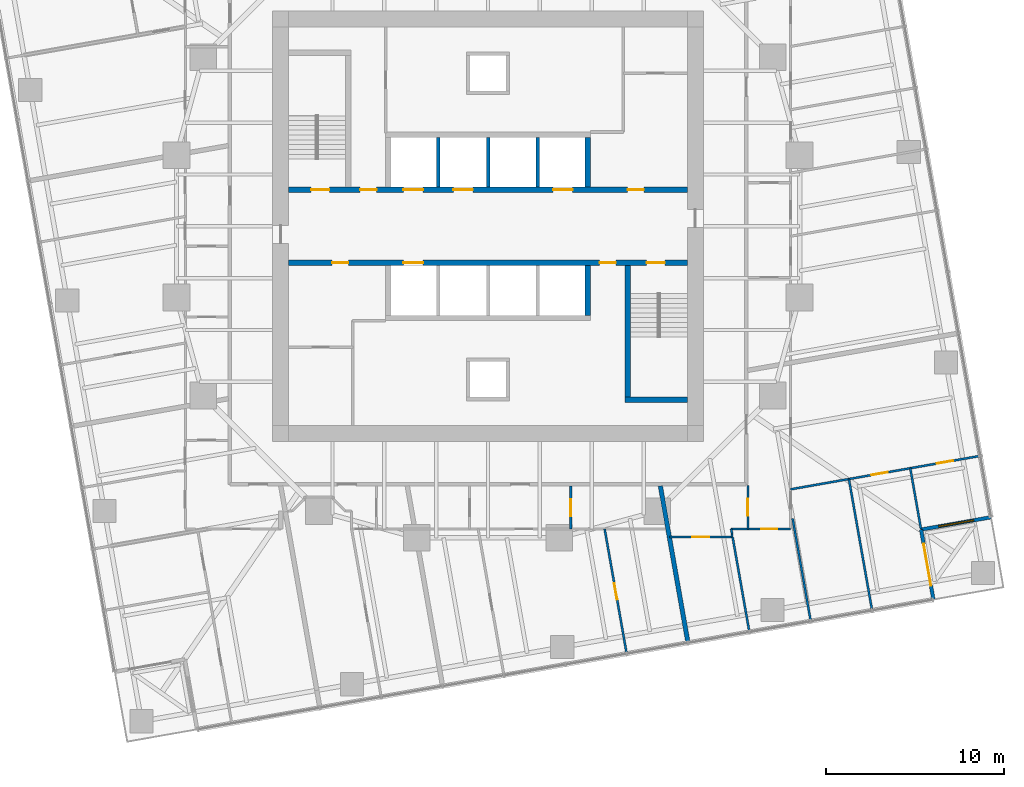
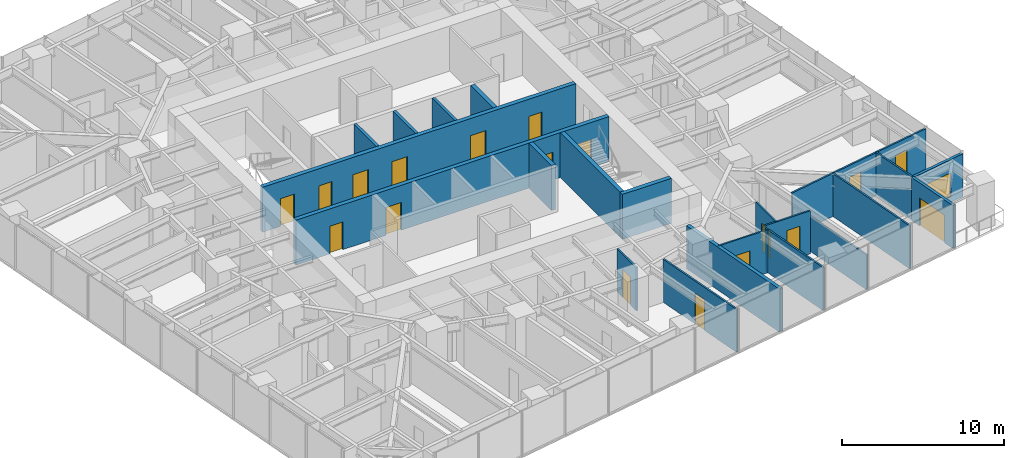
# One storey, part 10 of 14: 24 walls, 18 doors, 1 window, 19 openings.
"""IFC4 building model written with IfcOpenShell, lengths in metres."""

import ifcopenshell
import ifcopenshell.guid

model = None  # the IFC model being written
_history = None  # IfcOwnerHistory: only IFC2X3 demands one
_inside = {}  # id of a spatial element -> (the spatial element, [elements in it])
_under = {}  # id of a project, library or spatial element -> (it, [spatial elements below it])
_declared = {}  # id of a project -> (the project, [libraries it declares])
_typed = {}  # id of a type object -> (the type object, [elements of that type])
_made_of = {}  # id of a material, layer set ... -> (it, [elements and type objects made of it])


def new_model(schema):
    """Start an empty IFC model of exactly this schema.

    Asked for "IFC4X3", IfcOpenShell would pick the latest addendum, in which some entities
    have other attributes; the version numbers below select the first issue.
    IFC2X3 requires an IfcOwnerHistory on every rooted entity: one is made here for all.
    """
    global model, _history
    if schema == "IFC4X3":
        model = ifcopenshell.file(schema_version=(4, 3, 0, 0))
    else:
        model = ifcopenshell.file(schema=schema)
    _inside.clear()
    _under.clear()
    _declared.clear()
    _typed.clear()
    _made_of.clear()
    _history = None
    if model.schema == "IFC2X3":
        org = make("IfcOrganization", Name="unknown")
        user = make(
            "IfcPersonAndOrganization",
            ThePerson=make("IfcPerson", FamilyName="unknown"),
            TheOrganization=org,
        )
        app = make(
            "IfcApplication",
            ApplicationDeveloper=org,
            Version="unknown",
            ApplicationFullName="unknown",
            ApplicationIdentifier="unknown",
        )
        _history = make(
            "IfcOwnerHistory",
            OwningUser=user,
            OwningApplication=app,
            ChangeAction="ADDED",
            CreationDate=0,
        )
    return model


def make(cls, **values):
    """One entity of the class cls with the attributes given. An attribute that is None is left unset."""
    return model.create_entity(
        cls, **{name: value for name, value in values.items() if value is not None}
    )


def rooted(cls, **values):
    """An entity with a GlobalId (a new one), such as an element, a storey or a relation."""
    return make(cls, GlobalId=ifcopenshell.guid.new(), OwnerHistory=_history, **values)


def si_unit(unit_type, name, prefix=None):
    """IfcSIUnit, for example si_unit("LENGTHUNIT", "METRE", prefix="MILLI")."""
    return make("IfcSIUnit", UnitType=unit_type, Prefix=prefix, Name=name)


def assignment(units):
    """IfcUnitAssignment: the units of a project."""
    return None if units is None else make("IfcUnitAssignment", Units=units)


def point(xyz):
    """IfcCartesianPoint."""
    return None if xyz is None else make("IfcCartesianPoint", Coordinates=xyz)


def direction(xyz):
    """IfcDirection."""
    return None if xyz is None else make("IfcDirection", DirectionRatios=xyz)


def frame(location, z_axis=None, x_axis=None):
    """IfcAxis2Placement3D, a coordinate frame: its origin and axes. An axis left out is left unset."""
    return make(
        "IfcAxis2Placement3D",
        Location=point(location),
        Axis=direction(z_axis),
        RefDirection=direction(x_axis),
    )


def frame_2d(location, x_axis=None):
    """IfcAxis2Placement2D, a coordinate frame in the plane: its origin and x axis."""
    return make(
        "IfcAxis2Placement2D", Location=point(location), RefDirection=direction(x_axis)
    )


def origin():
    """The frame at (0, 0, 0) with its axes left unset."""
    return frame((0.0, 0.0, 0.0))


def place(relative_to, where):
    """IfcLocalPlacement: puts the frame where relative to a parent placement (None: the world)."""
    return make(
        "IfcLocalPlacement", PlacementRelTo=relative_to, RelativePlacement=where
    )


def context(
    kind, dimensions, precision=None, world=None, true_north=None, identifier=None
):
    """IfcGeometricRepresentationContext, for example the 3D "Model" context."""
    return make(
        "IfcGeometricRepresentationContext",
        ContextIdentifier=identifier,
        ContextType=kind,
        CoordinateSpaceDimension=dimensions,
        Precision=precision,
        WorldCoordinateSystem=world,
        TrueNorth=true_north,
    )


def subcontext(parent, identifier, kind, view, scale=None):
    """IfcGeometricRepresentationSubContext, for example "Body" below "Model"."""
    return make(
        "IfcGeometricRepresentationSubContext",
        ContextIdentifier=identifier,
        ContextType=kind,
        ParentContext=parent,
        TargetScale=scale,
        TargetView=view,
    )


def project(units=None, contexts=None):
    """IfcProject with its units and contexts."""
    return rooted(
        "IfcProject",
        Name="project",
        RepresentationContexts=contexts,
        UnitsInContext=assignment(units),
    )


def spatial(cls, under=None, at=None, **own):
    """A site, building, storey or space (cls), placed at a placement, below another one or the project."""
    s = rooted(cls, ObjectPlacement=at, **own)
    if under is not None:
        _under.setdefault(under.id(), (under, []))[1].append(s)
    return s


def profile(cls, at=None, kind="AREA", **sizes):
    """A parametric profile (cls). Its sizes go by their IFC names, for example OverallWidth=200.0."""
    return make(cls, ProfileType=kind, Position=at, **sizes)


def rectangle(**sizes):
    """IfcRectangleProfileDef."""
    return profile("IfcRectangleProfileDef", **sizes)


def extrude(swept, where, along, depth):
    """IfcExtrudedAreaSolid: the profile swept, set in the frame where, extruded along a direction by depth."""
    return make(
        "IfcExtrudedAreaSolid",
        SweptArea=swept,
        Position=where,
        ExtrudedDirection=direction(along),
        Depth=depth,
    )


def shape(context_of_items, identifier, shape_type, items):
    """IfcShapeRepresentation: the items that make up one representation, for example the "Body"."""
    return make(
        "IfcShapeRepresentation",
        ContextOfItems=context_of_items,
        RepresentationIdentifier=identifier,
        RepresentationType=shape_type,
        Items=items,
    )


def material(Name=None, Category=None):
    """IfcMaterial."""
    return make("IfcMaterial", Name=Name, Category=Category)


def layer(
    of_material, thickness, ventilated=None, Name=None, Category=None, Priority=None
):
    """IfcMaterialLayer: one layer of a wall or slab, of a material (None: an air gap)."""
    return make(
        "IfcMaterialLayer",
        Material=of_material,
        LayerThickness=thickness,
        IsVentilated=ventilated,
        Name=Name,
        Category=Category,
        Priority=Priority,
    )


def layer_set(layers, Name=None):
    """IfcMaterialLayerSet."""
    return make("IfcMaterialLayerSet", MaterialLayers=layers, LayerSetName=Name)


def made_of(thing, what):
    """Note that an element or type object is made of a material, layer set ...; save() writes the relation."""
    if what is not None:
        _made_of.setdefault(what.id(), (what, []))[1].append(thing)
    return thing


def type_object(cls, material=None, **own):
    """A type object (cls), such as IfcWallType, which elements share."""
    return made_of(rooted(cls, **own), material)


def element(
    cls,
    number,
    at=None,
    inside=None,
    cuts=None,
    type_object=None,
    material=None,
    context=None,
    identifier="Body",
    shape_type=None,
    held_by="IfcProductDefinitionShape",
    body=None,
    shapes=None,
    **own,
):
    """One element of the class cls, such as IfcWall. Its Tag is "e" and its number.

    at: its placement. inside: the storey or other place that contains it. cuts: it is an
    opening in that element (IfcRelVoidsElement). A single representation is given by context,
    identifier, shape_type and body (its items); several are given by shapes. held_by: the class
    of the entity that holds the representations. save() writes the other relations.
    """
    e = rooted(cls, Tag="e%d" % number, ObjectPlacement=at, **own)
    if body is not None:
        shapes = [shape(context, identifier, shape_type, body)]
    if shapes is not None:
        e.Representation = make(held_by, Representations=shapes)
    if inside is not None:
        _inside.setdefault(inside.id(), (inside, []))[1].append(e)
    if cuts is not None:
        rooted(
            "IfcRelVoidsElement", RelatingBuildingElement=cuts, RelatedOpeningElement=e
        )
    if type_object is not None:
        _typed.setdefault(type_object.id(), (type_object, []))[1].append(e)
    return made_of(e, material)


def fill(opening, filler):
    """IfcRelFillsElement: the door or window that sits in an opening."""
    return rooted(
        "IfcRelFillsElement",
        RelatingOpeningElement=opening,
        RelatedBuildingElement=filler,
    )


def aggregate(whole, parts):
    """IfcRelAggregates: a whole, such as a stair, and the parts it consists of."""
    return rooted("IfcRelAggregates", RelatingObject=whole, RelatedObjects=parts)


def save(model, path):
    """Write the relations noted so far, then the file.

    IfcRelAggregates (storeys below a building ...), IfcRelContainedInSpatialStructure (elements
    in a storey), IfcRelDefinesByType, IfcRelAssociatesMaterial and IfcRelDeclares: one each for
    every whole, place, type object, material and project.
    """
    for whole, parts in _under.values():
        aggregate(whole, parts)
    for where, things in _inside.values():
        rooted(
            "IfcRelContainedInSpatialStructure",
            RelatedElements=things,
            RelatingStructure=where,
        )
    for kind, things in _typed.values():
        rooted("IfcRelDefinesByType", RelatedObjects=things, RelatingType=kind)
    for what, things in _made_of.values():
        rooted("IfcRelAssociatesMaterial", RelatedObjects=things, RelatingMaterial=what)
    for by, libraries in _declared.values():
        rooted("IfcRelDeclares", RelatingContext=by, RelatedDefinitions=libraries)
    model.write(path)


model = new_model("IFC4")

# Units and contexts
model_context = context("Model", 3, precision=1e-05, world=origin(), true_north=direction((0.0, 1.0)))
body_context = subcontext(model_context, "Body", "Model", "MODEL_VIEW")
ifc_project = project(units=[si_unit("LENGTHUNIT", "METRE"), si_unit("AREAUNIT", "SQUARE_METRE"), si_unit("VOLUMEUNIT", "CUBIC_METRE"), si_unit("PLANEANGLEUNIT", "RADIAN"), si_unit("MASSUNIT", "GRAM", prefix="KILO")], contexts=[model_context])

# Site, building, storey
site_placement = place(None, origin())
site = spatial("IfcSite", under=ifc_project, at=site_placement, CompositionType="ELEMENT")
building_placement = place(site_placement, origin())
building = spatial("IfcBuilding", under=site, at=building_placement, Name="Torsade Residences", CompositionType="ELEMENT")
storey_placement = place(building_placement, frame((0.0, 0.0, 86.199951171875)))
storey = spatial("IfcBuildingStorey", under=building, at=storey_placement, Name="L23", CompositionType="ELEMENT", Elevation=86.199951171875)

# Wall, openings, doors
ifc_material_1 = material(Name="Concrete 80 MPa", Category="concrete")
ifc_layer_1 = layer(ifc_material_1, 0.300048828125)
ifc_layer_set_1 = layer_set([ifc_layer_1], Name="Concrete 80 MPa")
wall_type_1 = type_object("IfcWallType", Name="CORE INTERNAL WALL 300", PredefinedType="SHEAR", material=ifc_layer_set_1)
wall_1_placement = place(storey_placement, frame((28.800048828125, 32.050048828125, 0.0), z_axis=(0.0, 0.0, 1.0), x_axis=(1.0, 0.0, 0.0)))
wall_1 = element("IfcWall", 1, at=wall_1_placement, inside=storey, type_object=wall_type_1, Name="Core wall LN L23", PredefinedType="SHEAR", context=body_context, shape_type="SweptSolid", body=[
    extrude(rectangle(XDim=22.39990234375, YDim=0.300048828125, at=frame_2d((11.199951171875, 0.0))), origin(), (0.0, 0.0, 1.0), 3.400146484375),
])
opening_1_placement = place(wall_1_placement, frame((19.0400390625, 0.0, 0.0)))
opening_1 = element("IfcOpeningElement", 2, at=opening_1_placement, cuts=wall_1, Name="Opening D06", PredefinedType="OPENING", context=body_context, shape_type="SweptSolid", body=[
    extrude(rectangle(XDim=0.919921875, YDim=2.10009765625, at=frame_2d((0.4599609375, 1.050048828125))), frame((0.0, 0.159912109375, 0.0), z_axis=(0.0, -1.0, 0.0), x_axis=(1.0, 0.0, 0.0)), (0.0, 0.0, 1.0), 0.320068359375),
])
opening_2_placement = place(wall_1_placement, frame((1.264892578125, 0.0, 0.0)))
opening_2 = element("IfcOpeningElement", 3, at=opening_2_placement, cuts=wall_1, Name="Opening D03", PredefinedType="OPENING", context=body_context, shape_type="SweptSolid", body=[
    extrude(rectangle(XDim=1.02001953125, YDim=2.10009765625, at=frame_2d((0.510009765625, 1.050048828125))), frame((0.0, 0.159912109375, 0.0), z_axis=(0.0, -1.0, 0.0), x_axis=(1.0, 0.0, 0.0)), (0.0, 0.0, 1.0), 0.320068359375),
])
opening_3_placement = place(wall_1_placement, frame((4.014892578125, 0.0, 0.0)))
opening_3 = element("IfcOpeningElement", 4, at=opening_3_placement, cuts=wall_1, Name="Opening D06", PredefinedType="OPENING", context=body_context, shape_type="SweptSolid", body=[
    extrude(rectangle(XDim=0.919921875, YDim=2.10009765625, at=frame_2d((0.4599609375, 1.050048828125))), frame((0.0, 0.159912109375, 0.0), z_axis=(0.0, -1.0, 0.0), x_axis=(1.0, 0.0, 0.0)), (0.0, 0.0, 1.0), 0.320068359375),
])
opening_4_placement = place(wall_1_placement, frame((6.449951171875, 0.0, 0.0)))
opening_4 = element("IfcOpeningElement", 5, at=opening_4_placement, cuts=wall_1, Name="Opening LD", PredefinedType="OPENING", context=body_context, shape_type="SweptSolid", body=[
    extrude(rectangle(XDim=1.10009765625, YDim=2.10009765625, at=frame_2d((0.550048828125, 1.050048828125))), frame((0.0, 0.159912109375, 0.0), z_axis=(0.0, -1.0, 0.0), x_axis=(1.0, 0.0, 0.0)), (0.0, 0.0, 1.0), 0.320068359375),
])
opening_5_placement = place(wall_1_placement, frame((9.25, 0.0, 0.0)))
opening_5 = element("IfcOpeningElement", 6, at=opening_5_placement, cuts=wall_1, Name="Opening LD", PredefinedType="OPENING", context=body_context, shape_type="SweptSolid", body=[
    extrude(rectangle(XDim=1.10009765625, YDim=2.10009765625, at=frame_2d((0.550048828125, 1.050048828125))), frame((0.0, 0.159912109375, 0.0), z_axis=(0.0, -1.0, 0.0), x_axis=(1.0, 0.0, 0.0)), (0.0, 0.0, 1.0), 0.320068359375),
])
opening_6_placement = place(wall_1_placement, frame((14.85009765625, 0.0, 0.0)))
opening_6 = element("IfcOpeningElement", 7, at=opening_6_placement, cuts=wall_1, Name="Opening LD", PredefinedType="OPENING", context=body_context, shape_type="SweptSolid", body=[
    extrude(rectangle(XDim=1.10009765625, YDim=2.10009765625, at=frame_2d((0.550048828125, 1.050048828125))), frame((0.0, 0.159912109375, 0.0), z_axis=(0.0, -1.0, 0.0), x_axis=(1.0, 0.0, 0.0)), (0.0, 0.0, 1.0), 0.320068359375),
])
ifc_material_2 = material(Name="Steel-framed fire door", Category="steel")
door_type_1 = type_object("IfcDoorType", Name="FIRE DOOR 1020", OperationType="NOTDEFINED", PredefinedType="DOOR", material=ifc_material_2)
door_1_placement = place(opening_2_placement, origin())
door_1 = element("IfcDoor", 8, at=door_1_placement, inside=storey, type_object=door_type_1, Name="Exit door to fire-isolated stair ST1 L23", OperationType="SINGLE_SWING_RIGHT", OverallHeight=2.10009765625, OverallWidth=1.02001953125, PredefinedType="DOOR", context=body_context, shape_type="SweptSolid", body=[
    extrude(rectangle(XDim=1.02001953125, YDim=2.10009765625, at=frame_2d((0.510009765625, 1.050048828125))), frame((0.0, 0.02490234375, 0.0), z_axis=(0.0, -1.0, 0.0), x_axis=(1.0, 0.0, 0.0)), (0.0, 0.0, 1.0), 0.050048828125),
])
fill(opening_2, door_1)
ifc_material_3 = material(Name="Steel-framed fire door", Category="steel")
door_type_2 = type_object("IfcDoorType", Name="FIRE DOOR 920", OperationType="NOTDEFINED", PredefinedType="DOOR", material=ifc_material_3)
door_2_placement = place(opening_1_placement, origin())
door_2 = element("IfcDoor", 9, at=door_2_placement, inside=storey, type_object=door_type_2, Name="Door Lift lobby to Refuse room", OperationType="SINGLE_SWING_LEFT", OverallHeight=2.10009765625, OverallWidth=0.919921875, PredefinedType="DOOR", context=body_context, shape_type="SweptSolid", body=[
    extrude(rectangle(XDim=0.919921875, YDim=2.10009765625, at=frame_2d((0.4599609375, 1.050048828125))), frame((0.0, 0.02490234375, 0.0), z_axis=(0.0, -1.0, 0.0), x_axis=(1.0, 0.0, 0.0)), (0.0, 0.0, 1.0), 0.050048828125),
])
fill(opening_1, door_2)
door_3_placement = place(opening_3_placement, origin())
door_3 = element("IfcDoor", 10, at=door_3_placement, inside=storey, type_object=door_type_2, Name="Door Lift lobby to Main switchboard store", OperationType="SINGLE_SWING_LEFT", OverallHeight=2.10009765625, OverallWidth=0.919921875, PredefinedType="DOOR", context=body_context, shape_type="SweptSolid", body=[
    extrude(rectangle(XDim=0.919921875, YDim=2.10009765625, at=frame_2d((0.4599609375, 1.050048828125))), frame((0.0, 0.02490234375, 0.0), z_axis=(0.0, -1.0, 0.0), x_axis=(1.0, 0.0, 0.0)), (0.0, 0.0, 1.0), 0.050048828125),
])
fill(opening_3, door_3)
ifc_material_4 = material(Name="Stainless steel lift landing door", Category="steel")
door_type_3 = type_object("IfcDoorType", Name="LIFT LANDING DOOR 1100", OperationType="SLIDING_TO_LEFT", PredefinedType="DOOR", material=ifc_material_4)
door_4_placement = place(opening_4_placement, origin())
door_4 = element("IfcDoor", 11, at=door_4_placement, inside=storey, type_object=door_type_3, Name="Lift LA1 landing door L23", OperationType="SLIDING_TO_LEFT", OverallHeight=2.10009765625, OverallWidth=1.10009765625, PredefinedType="DOOR", context=body_context, shape_type="SweptSolid", body=[
    extrude(rectangle(XDim=1.10009765625, YDim=2.10009765625, at=frame_2d((0.550048828125, 1.050048828125))), frame((0.0, 0.02490234375, 0.0), z_axis=(0.0, -1.0, 0.0), x_axis=(1.0, 0.0, 0.0)), (0.0, 0.0, 1.0), 0.050048828125),
])
fill(opening_4, door_4)
door_5_placement = place(opening_5_placement, origin())
door_5 = element("IfcDoor", 12, at=door_5_placement, inside=storey, type_object=door_type_3, Name="Lift LA2 landing door L23", OperationType="SLIDING_TO_LEFT", OverallHeight=2.10009765625, OverallWidth=1.10009765625, PredefinedType="DOOR", context=body_context, shape_type="SweptSolid", body=[
    extrude(rectangle(XDim=1.10009765625, YDim=2.10009765625, at=frame_2d((0.550048828125, 1.050048828125))), frame((0.0, 0.02490234375, 0.0), z_axis=(0.0, -1.0, 0.0), x_axis=(1.0, 0.0, 0.0)), (0.0, 0.0, 1.0), 0.050048828125),
])
fill(opening_5, door_5)
door_6_placement = place(opening_6_placement, origin())
door_6 = element("IfcDoor", 13, at=door_6_placement, inside=storey, type_object=door_type_3, Name="Lift FL1 landing door L23", OperationType="SLIDING_TO_LEFT", OverallHeight=2.10009765625, OverallWidth=1.10009765625, PredefinedType="DOOR", context=body_context, shape_type="SweptSolid", body=[
    extrude(rectangle(XDim=1.10009765625, YDim=2.10009765625, at=frame_2d((0.550048828125, 1.050048828125))), frame((0.0, 0.02490234375, 0.0), z_axis=(0.0, -1.0, 0.0), x_axis=(1.0, 0.0, 0.0)), (0.0, 0.0, 1.0), 0.050048828125),
])
fill(opening_6, door_6)

wall_2_placement = place(storey_placement, frame((51.199951171875, 27.949951171875, 0.0), z_axis=(0.0, 0.0, 1.0), x_axis=(-1.0, 0.0, 0.0)))
wall_2 = element("IfcWall", 14, at=wall_2_placement, inside=storey, type_object=wall_type_1, Name="Core wall LS L23", PredefinedType="SHEAR", context=body_context, shape_type="SweptSolid", body=[
    extrude(rectangle(XDim=22.39990234375, YDim=0.300048828125, at=frame_2d((11.199951171875, 0.0))), origin(), (0.0, 0.0, 1.0), 3.400146484375),
])
opening_7_placement = place(wall_2_placement, frame((19.0400390625, 0.0, 0.0)))
opening_7 = element("IfcOpeningElement", 15, at=opening_7_placement, cuts=wall_2, Name="Opening D06", PredefinedType="OPENING", context=body_context, shape_type="SweptSolid", body=[
    extrude(rectangle(XDim=0.919921875, YDim=2.10009765625, at=frame_2d((0.4599609375, 1.050048828125))), frame((0.0, 0.159912109375, 0.0), z_axis=(0.0, -1.0, 0.0), x_axis=(1.0, 0.0, 0.0)), (0.0, 0.0, 1.0), 0.320068359375),
])
opening_8_placement = place(wall_2_placement, frame((1.264892578125, 0.0, 0.0)))
opening_8 = element("IfcOpeningElement", 16, at=opening_8_placement, cuts=wall_2, Name="Opening D03", PredefinedType="OPENING", context=body_context, shape_type="SweptSolid", body=[
    extrude(rectangle(XDim=1.02001953125, YDim=2.10009765625, at=frame_2d((0.510009765625, 1.050048828125))), frame((0.0, 0.159912109375, 0.0), z_axis=(0.0, -1.0, 0.0), x_axis=(1.0, 0.0, 0.0)), (0.0, 0.0, 1.0), 0.320068359375),
])
opening_9_placement = place(wall_2_placement, frame((4.014892578125, 0.0, 0.0)))
opening_9 = element("IfcOpeningElement", 17, at=opening_9_placement, cuts=wall_2, Name="Opening D06", PredefinedType="OPENING", context=body_context, shape_type="SweptSolid", body=[
    extrude(rectangle(XDim=0.919921875, YDim=2.10009765625, at=frame_2d((0.4599609375, 1.050048828125))), frame((0.0, 0.159912109375, 0.0), z_axis=(0.0, -1.0, 0.0), x_axis=(1.0, 0.0, 0.0)), (0.0, 0.0, 1.0), 0.320068359375),
])
opening_10_placement = place(wall_2_placement, frame((14.85009765625, 0.0, 0.0)))
opening_10 = element("IfcOpeningElement", 18, at=opening_10_placement, cuts=wall_2, Name="Opening LD", PredefinedType="OPENING", context=body_context, shape_type="SweptSolid", body=[
    extrude(rectangle(XDim=1.10009765625, YDim=2.10009765625, at=frame_2d((0.550048828125, 1.050048828125))), frame((0.0, 0.159912109375, 0.0), z_axis=(0.0, -1.0, 0.0), x_axis=(1.0, 0.0, 0.0)), (0.0, 0.0, 1.0), 0.320068359375),
])
door_7_placement = place(opening_8_placement, origin())
door_7 = element("IfcDoor", 19, at=door_7_placement, inside=storey, type_object=door_type_1, Name="Exit door to fire-isolated stair ST2 L23", OperationType="SINGLE_SWING_RIGHT", OverallHeight=2.10009765625, OverallWidth=1.02001953125, PredefinedType="DOOR", context=body_context, shape_type="SweptSolid", body=[
    extrude(rectangle(XDim=1.02001953125, YDim=2.10009765625, at=frame_2d((0.510009765625, 1.050048828125))), frame((0.0, 0.02490234375, 0.0), z_axis=(0.0, -1.0, 0.0), x_axis=(1.0, 0.0, 0.0)), (0.0, 0.0, 1.0), 0.050048828125),
])
fill(opening_8, door_7)
door_8_placement = place(opening_7_placement, origin())
door_8 = element("IfcDoor", 20, at=door_8_placement, inside=storey, type_object=door_type_2, Name="Door Lift lobby to Cleaner store", OperationType="SINGLE_SWING_LEFT", OverallHeight=2.10009765625, OverallWidth=0.919921875, PredefinedType="DOOR", context=body_context, shape_type="SweptSolid", body=[
    extrude(rectangle(XDim=0.919921875, YDim=2.10009765625, at=frame_2d((0.4599609375, 1.050048828125))), frame((0.0, 0.02490234375, 0.0), z_axis=(0.0, -1.0, 0.0), x_axis=(1.0, 0.0, 0.0)), (0.0, 0.0, 1.0), 0.050048828125),
])
fill(opening_7, door_8)
door_9_placement = place(opening_9_placement, origin())
door_9 = element("IfcDoor", 21, at=door_9_placement, inside=storey, type_object=door_type_2, Name="Door Lift lobby to Communications riser room", OperationType="SINGLE_SWING_RIGHT", OverallHeight=2.10009765625, OverallWidth=0.919921875, PredefinedType="DOOR", context=body_context, shape_type="SweptSolid", body=[
    extrude(rectangle(XDim=0.919921875, YDim=2.10009765625, at=frame_2d((0.4599609375, 1.050048828125))), frame((0.0, 0.02490234375, 0.0), z_axis=(0.0, -1.0, 0.0), x_axis=(1.0, 0.0, 0.0)), (0.0, 0.0, 1.0), 0.050048828125),
])
fill(opening_9, door_9)
door_10_placement = place(opening_10_placement, origin())
door_10 = element("IfcDoor", 22, at=door_10_placement, inside=storey, type_object=door_type_3, Name="Lift FL2 landing door L23", OperationType="SLIDING_TO_LEFT", OverallHeight=2.10009765625, OverallWidth=1.10009765625, PredefinedType="DOOR", context=body_context, shape_type="SweptSolid", body=[
    extrude(rectangle(XDim=1.10009765625, YDim=2.10009765625, at=frame_2d((0.550048828125, 1.050048828125))), frame((0.0, 0.02490234375, 0.0), z_axis=(0.0, -1.0, 0.0), x_axis=(1.0, 0.0, 0.0)), (0.0, 0.0, 1.0), 0.050048828125),
])
fill(opening_10, door_10)

# Walls
for number, where, z_axis, x_axis, name in (
    (23, (45.60009765625, 27.800048828125, 0.0), (0.0, 0.0, 1.0), (0.0, -1.0, 0.0), "Core wall DS0 L23"),
    (24, (45.60009765625, 32.199951171875, 0.0), (0.0, 0.0, 1.0), (0.0, 1.0, 0.0), "Core wall DN4 L23"),
):
    element("IfcWall", number, at=place(storey_placement, frame(where, z_axis=z_axis, x_axis=x_axis)), inside=storey, type_object=wall_type_1, Name=name, PredefinedType="SHEAR", context=body_context, shape_type="SweptSolid", body=[
        extrude(rectangle(XDim=2.800048828125, YDim=0.300048828125, at=frame_2d((1.39990234375, 0.0))), origin(), (0.0, 0.0, 1.0), 3.400146484375),
    ])
wall_3_placement = place(storey_placement, frame((47.85009765625, 27.800048828125, 0.0), z_axis=(0.0, 0.0, 1.0), x_axis=(0.0, -1.0, 0.0)))
element("IfcWall", 25, at=wall_3_placement, inside=storey, type_object=wall_type_1, Name="Core wall ST2W L23", PredefinedType="SHEAR", context=body_context, shape_type="SweptSolid", body=[
    extrude(rectangle(XDim=7.699951171875, YDim=0.300048828125, at=frame_2d((3.85009765625, 0.0))), origin(), (0.0, 0.0, 1.0), 3.400146484375),
])
wall_4_placement = place(storey_placement, frame((51.199951171875, 20.25, 0.0), z_axis=(0.0, 0.0, 1.0), x_axis=(-1.0, 0.0, 0.0)))
element("IfcWall", 26, at=wall_4_placement, inside=storey, type_object=wall_type_1, Name="Core wall ST2S L23", PredefinedType="SHEAR", context=body_context, shape_type="SweptSolid", body=[
    extrude(rectangle(XDim=3.5, YDim=0.300048828125, at=frame_2d((1.75, 0.0))), origin(), (0.0, 0.0, 1.0), 3.400146484375),
])
ifc_material_5 = material(Name="Reinforced blockwork", Category="masonry")
ifc_layer_2 = layer(ifc_material_5, 0.199951171875)
ifc_layer_set_2 = layer_set([ifc_layer_2], Name="Reinforced blockwork")
wall_type_2 = type_object("IfcWallType", Name="LIFT SHAFT DIVIDING WALL 200", PredefinedType="SOLIDWALL", material=ifc_layer_set_2)
for number, where, z_axis, x_axis, name in (
    (27, (37.199951171875, 32.199951171875, 0.0), (0.0, 0.0, 1.0), (0.0, 1.0, 0.0), "Core wall DN1 L23"),
    (28, (40.0, 32.199951171875, 0.0), (0.0, 0.0, 1.0), (0.0, 1.0, 0.0), "Core wall DN2 L23"),
    (29, (42.800048828125, 32.199951171875, 0.0), (0.0, 0.0, 1.0), (0.0, 1.0, 0.0), "Core wall DN3 L23"),
):
    element("IfcWall", number, at=place(storey_placement, frame(where, z_axis=z_axis, x_axis=x_axis)), inside=storey, type_object=wall_type_2, Name=name, PredefinedType="SOLIDWALL", context=body_context, shape_type="SweptSolid", body=[
        extrude(rectangle(XDim=2.800048828125, YDim=0.199951171875, at=frame_2d((1.39990234375, 0.0))), origin(), (0.0, 0.0, 1.0), 3.400146484375),
    ])

# Wall, opening, door
ifc_material_6 = material(Name="Plasterboard on steel stud", Category="steel")
ifc_layer_3 = layer(ifc_material_6, 0.1201171875)
ifc_layer_set_3 = layer_set([ifc_layer_3], Name="Plasterboard on steel stud")
wall_type_3 = type_object("IfcWallType", Name="PARTITION 120", PredefinedType="PARTITIONING", material=ifc_layer_set_3)
wall_5_placement = place(storey_placement, frame((44.646728515625, 15.39990234375, 0.0), z_axis=(0.0, 0.0, 1.0), x_axis=(0.0, -1.0, 0.0)))
wall_5 = element("IfcWall", 30, at=wall_5_placement, inside=storey, type_object=wall_type_3, Name="Partition L23", PredefinedType="PARTITIONING", context=body_context, shape_type="SweptSolid", body=[
    extrude(rectangle(XDim=2.39990234375, YDim=0.1201171875, at=frame_2d((1.199951171875, 0.0))), origin(), (0.0, 0.0, 1.0), 3.25),
])
opening_11_placement = place(wall_5_placement, frame((0.719970703125, 0.0, 0.0)))
opening_11 = element("IfcOpeningElement", 31, at=opening_11_placement, cuts=wall_5, Name="Opening D05", PredefinedType="OPENING", context=body_context, shape_type="SweptSolid", body=[
    extrude(rectangle(XDim=0.9599609375, YDim=2.10009765625, at=frame_2d((0.47998046875, 1.050048828125))), frame((0.0, 0.070068359375, 0.0), z_axis=(0.0, -1.0, 0.0), x_axis=(1.0, 0.0, 0.0)), (0.0, 0.0, 1.0), 0.14013671875),
])
ifc_material_7 = material(Name="Hollow-core timber door in a steel cavity frame", Category="steel")
door_type_4 = type_object("IfcDoorType", Name="BATHROOM CAVITY SLIDING DOOR 960", OperationType="SLIDING_TO_LEFT", PredefinedType="DOOR", material=ifc_material_7)
door_11_placement = place(opening_11_placement, origin())
door_11 = element("IfcDoor", 32, at=door_11_placement, inside=storey, type_object=door_type_4, Name="Door Kitchen and dining to Bathroom", OperationType="SLIDING_TO_LEFT", OverallHeight=2.10009765625, OverallWidth=0.9599609375, PredefinedType="DOOR", context=body_context, shape_type="SweptSolid", body=[
    extrude(rectangle(XDim=0.9599609375, YDim=2.10009765625, at=frame_2d((0.47998046875, 1.050048828125))), frame((0.0, 0.02490234375, 0.0), z_axis=(0.0, -1.0, 0.0), x_axis=(1.0, 0.0, 0.0)), (0.0, 0.0, 1.0), 0.050048828125),
])
fill(opening_11, door_11)

wall_6_placement = place(storey_placement, frame((46.551513671875, 13.0, 0.0), z_axis=(0.0, 0.0, 1.0), x_axis=(0.173639776761, -0.984809234282, 0.0)))
wall_6 = element("IfcWall", 33, at=wall_6_placement, inside=storey, type_object=wall_type_3, Name="Partition L23", PredefinedType="PARTITIONING", context=body_context, shape_type="SweptSolid", body=[
    extrude(rectangle(XDim=7.080810546875, YDim=0.1201171875, at=frame_2d((3.54052734375, 0.0))), origin(), (0.0, 0.0, 1.0), 3.25),
])
opening_12_placement = place(wall_6_placement, frame((3.100341796875, 0.0, 0.0)))
opening_12 = element("IfcOpeningElement", 34, at=opening_12_placement, cuts=wall_6, Name="Opening D02", PredefinedType="OPENING", context=body_context, shape_type="SweptSolid", body=[
    extrude(rectangle(XDim=0.919921875, YDim=2.340087890625, at=frame_2d((0.4599609375, 1.169921875))), frame((0.0, 0.070068359375, 0.0), z_axis=(0.0, -1.0, 0.0), x_axis=(1.0, 0.0, 0.0)), (0.0, 0.0, 1.0), 0.14013671875),
])
ifc_material_8 = material(Name="Hollow-core timber door", Category="wood")
door_type_5 = type_object("IfcDoorType", Name="INTERNAL DOOR 920x2340", OperationType="NOTDEFINED", PredefinedType="DOOR", material=ifc_material_8)
door_12_placement = place(opening_12_placement, origin())
door_12 = element("IfcDoor", 35, at=door_12_placement, inside=storey, type_object=door_type_5, Name="Door Living room to Bedroom 2", OperationType="SINGLE_SWING_LEFT", OverallHeight=2.340087890625, OverallWidth=0.919921875, PredefinedType="DOOR", context=body_context, shape_type="SweptSolid", body=[
    extrude(rectangle(XDim=0.919921875, YDim=2.340087890625, at=frame_2d((0.4599609375, 1.169921875))), frame((0.0, 0.02490234375, 0.0), z_axis=(0.0, -1.0, 0.0), x_axis=(1.0, 0.0, 0.0)), (0.0, 0.0, 1.0), 0.050048828125),
])
fill(opening_12, door_12)

wall_7_placement = place(storey_placement, frame((54.60009765625, 13.0, 0.0), z_axis=(0.0, 0.0, 1.0), x_axis=(0.0, 1.0, 0.0)))
wall_7 = element("IfcWall", 36, at=wall_7_placement, inside=storey, type_object=wall_type_3, Name="Partition L23", PredefinedType="PARTITIONING", context=body_context, shape_type="SweptSolid", body=[
    extrude(rectangle(XDim=2.449951171875, YDim=0.1201171875, at=frame_2d((1.22509765625, 0.0))), origin(), (0.0, 0.0, 1.0), 3.25),
])
opening_13_placement = place(wall_7_placement, frame((0.7451171875, 0.0, 0.0)))
opening_13 = element("IfcOpeningElement", 37, at=opening_13_placement, cuts=wall_7, Name="Opening D05", PredefinedType="OPENING", context=body_context, shape_type="SweptSolid", body=[
    extrude(rectangle(XDim=0.9599609375, YDim=2.10009765625, at=frame_2d((0.47998046875, 1.050048828125))), frame((0.0, 0.070068359375, 0.0), z_axis=(0.0, -1.0, 0.0), x_axis=(1.0, 0.0, 0.0)), (0.0, 0.0, 1.0), 0.14013671875),
])
door_13_placement = place(opening_13_placement, origin())
door_13 = element("IfcDoor", 38, at=door_13_placement, inside=storey, type_object=door_type_4, Name="Door Kitchen and dining to Bathroom", OperationType="SLIDING_TO_LEFT", OverallHeight=2.10009765625, OverallWidth=0.9599609375, PredefinedType="DOOR", context=body_context, shape_type="SweptSolid", body=[
    extrude(rectangle(XDim=0.9599609375, YDim=2.10009765625, at=frame_2d((0.47998046875, 1.050048828125))), frame((0.0, 0.02490234375, 0.0), z_axis=(0.0, -1.0, 0.0), x_axis=(1.0, 0.0, 0.0)), (0.0, 0.0, 1.0), 0.050048828125),
])
fill(opening_13, door_13)

wall_8_placement = place(storey_placement, frame((57.0, 13.0, 0.0), z_axis=(0.0, 0.0, 1.0), x_axis=(-1.0, 0.0, 0.0)))
wall_8 = element("IfcWall", 39, at=wall_8_placement, inside=storey, type_object=wall_type_3, Name="Partition L23", PredefinedType="PARTITIONING", context=body_context, shape_type="SweptSolid", body=[
    extrude(rectangle(XDim=3.34033203125, YDim=0.1201171875, at=frame_2d((1.670166015625, 0.0))), origin(), (0.0, 0.0, 1.0), 3.25),
])
opening_14_placement = place(wall_8_placement, frame((0.739990234375, 0.0, 0.0)))
opening_14 = element("IfcOpeningElement", 40, at=opening_14_placement, cuts=wall_8, Name="Opening D02", PredefinedType="OPENING", context=body_context, shape_type="SweptSolid", body=[
    extrude(rectangle(XDim=0.919921875, YDim=2.340087890625, at=frame_2d((0.4599609375, 1.169921875))), frame((0.0, 0.070068359375, 0.0), z_axis=(0.0, -1.0, 0.0), x_axis=(1.0, 0.0, 0.0)), (0.0, 0.0, 1.0), 0.14013671875),
])
door_14_placement = place(opening_14_placement, origin())
door_14 = element("IfcDoor", 41, at=door_14_placement, inside=storey, type_object=door_type_5, Name="Door Kitchen and dining to Family room", OperationType="SINGLE_SWING_LEFT", OverallHeight=2.340087890625, OverallWidth=0.919921875, PredefinedType="DOOR", context=body_context, shape_type="SweptSolid", body=[
    extrude(rectangle(XDim=0.919921875, YDim=2.340087890625, at=frame_2d((0.4599609375, 1.169921875))), frame((0.0, 0.02490234375, 0.0), z_axis=(0.0, -1.0, 0.0), x_axis=(1.0, 0.0, 0.0)), (0.0, 0.0, 1.0), 0.050048828125),
])
fill(opening_14, door_14)

wall_9_placement = place(storey_placement, frame((53.710205078125, 12.550048828125, 0.0), z_axis=(0.0, 0.0, 1.0), x_axis=(-1.0, 0.0, 0.0)))
wall_9 = element("IfcWall", 42, at=wall_9_placement, inside=storey, type_object=wall_type_3, Name="Partition L23", PredefinedType="PARTITIONING", context=body_context, shape_type="SweptSolid", body=[
    extrude(rectangle(XDim=3.525390625, YDim=0.1201171875, at=frame_2d((1.7626953125, 0.0))), origin(), (0.0, 0.0, 1.0), 3.25),
])
opening_15_placement = place(wall_9_placement, frame((1.28271484375, 0.0, 0.0)))
opening_15 = element("IfcOpeningElement", 43, at=opening_15_placement, cuts=wall_9, Name="Opening D05", PredefinedType="OPENING", context=body_context, shape_type="SweptSolid", body=[
    extrude(rectangle(XDim=0.9599609375, YDim=2.10009765625, at=frame_2d((0.47998046875, 1.050048828125))), frame((0.0, 0.070068359375, 0.0), z_axis=(0.0, -1.0, 0.0), x_axis=(1.0, 0.0, 0.0)), (0.0, 0.0, 1.0), 0.14013671875),
])
door_15_placement = place(opening_15_placement, origin())
door_15 = element("IfcDoor", 44, at=door_15_placement, inside=storey, type_object=door_type_4, Name="Door Bathroom to Study", OperationType="SLIDING_TO_LEFT", OverallHeight=2.10009765625, OverallWidth=0.9599609375, PredefinedType="DOOR", context=body_context, shape_type="SweptSolid", body=[
    extrude(rectangle(XDim=0.9599609375, YDim=2.10009765625, at=frame_2d((0.47998046875, 1.050048828125))), frame((0.0, 0.02490234375, 0.0), z_axis=(0.0, -1.0, 0.0), x_axis=(1.0, 0.0, 0.0)), (0.0, 0.0, 1.0), 0.050048828125),
])
fill(opening_15, door_15)

# Wall
wall_10_placement = place(storey_placement, frame((53.65966796875, 13.0, 0.0), z_axis=(0.0, 0.0, 1.0), x_axis=(0.172927442902, -0.984934566096, 0.0)))
element("IfcWall", 45, at=wall_10_placement, inside=storey, type_object=wall_type_3, Name="Partition L23", PredefinedType="PARTITIONING", context=body_context, shape_type="SweptSolid", body=[
    extrude(rectangle(XDim=0.292236328125, YDim=0.1201171875, at=frame_2d((0.14599609375, 0.0))), origin(), (0.0, 0.0, 1.0), 3.25),
])

# Wall, openings, doors
wall_11_placement = place(storey_placement, frame((67.61962890625, 17.10009765625, 0.0), z_axis=(0.0, 0.0, 1.0), x_axis=(-0.984807253583, -0.173651010046, 0.0)))
wall_11 = element("IfcWall", 46, at=wall_11_placement, inside=storey, type_object=wall_type_3, Name="Partition L23", PredefinedType="PARTITIONING", context=body_context, shape_type="SweptSolid", body=[
    extrude(rectangle(XDim=10.783447265625, YDim=0.1201171875, at=frame_2d((5.3916015625, 0.0))), origin(), (0.0, 0.0, 1.0), 3.25),
])
opening_16_placement = place(wall_11_placement, frame((1.525146484375, 0.0, 0.0)))
opening_16 = element("IfcOpeningElement", 47, at=opening_16_placement, cuts=wall_11, Name="Opening D02", PredefinedType="OPENING", context=body_context, shape_type="SweptSolid", body=[
    extrude(rectangle(XDim=0.919921875, YDim=2.340087890625, at=frame_2d((0.4599609375, 1.169921875))), frame((0.0, 0.070068359375, 0.0), z_axis=(0.0, -1.0, 0.0), x_axis=(1.0, 0.0, 0.0)), (0.0, 0.0, 1.0), 0.14013671875),
])
opening_17_placement = place(wall_11_placement, frame((5.25, 0.0, 0.0)))
opening_17 = element("IfcOpeningElement", 48, at=opening_17_placement, cuts=wall_11, Name="Opening D02", PredefinedType="OPENING", context=body_context, shape_type="SweptSolid", body=[
    extrude(rectangle(XDim=0.919921875, YDim=2.340087890625, at=frame_2d((0.4599609375, 1.169921875))), frame((0.0, 0.070068359375, 0.0), z_axis=(0.0, -1.0, 0.0), x_axis=(1.0, 0.0, 0.0)), (0.0, 0.0, 1.0), 0.14013671875),
])
door_16_placement = place(opening_16_placement, origin())
door_16 = element("IfcDoor", 49, at=door_16_placement, inside=storey, type_object=door_type_5, Name="Door Living room to Media room", OperationType="SINGLE_SWING_RIGHT", OverallHeight=2.340087890625, OverallWidth=0.919921875, PredefinedType="DOOR", context=body_context, shape_type="SweptSolid", body=[
    extrude(rectangle(XDim=0.919921875, YDim=2.340087890625, at=frame_2d((0.4599609375, 1.169921875))), frame((0.0, 0.02490234375, 0.0), z_axis=(0.0, -1.0, 0.0), x_axis=(1.0, 0.0, 0.0)), (0.0, 0.0, 1.0), 0.050048828125),
])
fill(opening_16, door_16)
door_17_placement = place(opening_17_placement, origin())
door_17 = element("IfcDoor", 50, at=door_17_placement, inside=storey, type_object=door_type_5, Name="Door Living room to Bedroom 1", OperationType="SINGLE_SWING_RIGHT", OverallHeight=2.340087890625, OverallWidth=0.919921875, PredefinedType="DOOR", context=body_context, shape_type="SweptSolid", body=[
    extrude(rectangle(XDim=0.919921875, YDim=2.340087890625, at=frame_2d((0.4599609375, 1.169921875))), frame((0.0, 0.02490234375, 0.0), z_axis=(0.0, -1.0, 0.0), x_axis=(1.0, 0.0, 0.0)), (0.0, 0.0, 1.0), 0.050048828125),
])
fill(opening_17, door_17)

# Walls
wall_12_placement = place(storey_placement, frame((61.568359375, 8.4580078125, 0.0), z_axis=(0.0, 0.0, 1.0), x_axis=(-0.173647177755, 0.984807929323, 0.0)))
element("IfcWall", 51, at=wall_12_placement, inside=storey, type_object=wall_type_3, Name="Partition L23", PredefinedType="PARTITIONING", context=body_context, shape_type="SweptSolid", body=[
    extrude(rectangle(XDim=7.4599609375, YDim=0.1201171875, at=frame_2d((3.72998046875, 0.0))), origin(), (0.0, 0.0, 1.0), 3.25),
])
wall_13_placement = place(storey_placement, frame((63.7197265625, 16.412353515625, 0.0), z_axis=(0.0, 0.0, 1.0), x_axis=(0.173660541335, -0.984805572884, 0.0)))
element("IfcWall", 52, at=wall_13_placement, inside=storey, type_object=wall_type_3, Name="Partition L23", PredefinedType="PARTITIONING", context=body_context, shape_type="SweptSolid", body=[
    extrude(rectangle(XDim=3.459716796875, YDim=0.1201171875, at=frame_2d((1.72998046875, 0.0))), origin(), (0.0, 0.0, 1.0), 3.25),
])
wall_14_placement = place(storey_placement, frame((58.12158203125, 7.850341796875, 0.0), z_axis=(0.0, 0.0, 1.0), x_axis=(-0.173634707655, 0.984810128044, 0.0)))
element("IfcWall", 53, at=wall_14_placement, inside=storey, type_object=wall_type_3, Name="Partition L23", PredefinedType="PARTITIONING", context=body_context, shape_type="SweptSolid", body=[
    extrude(rectangle(XDim=5.8251953125, YDim=0.1201171875, at=frame_2d((2.91259765625, 0.0))), origin(), (0.0, 0.0, 1.0), 2.637939453125),
])
wall_15_placement = place(storey_placement, frame((53.739013671875, 12.550048828125, 0.0), z_axis=(0.0, 0.0, 1.0), x_axis=(0.173632864151, -0.984810453076, 0.0)))
element("IfcWall", 54, at=wall_15_placement, inside=storey, type_object=wall_type_3, Name="Partition L23", PredefinedType="PARTITIONING", context=body_context, shape_type="SweptSolid", body=[
    extrude(rectangle(XDim=5.389404296875, YDim=0.1201171875, at=frame_2d((2.69482421875, 0.0))), origin(), (0.0, 0.0, 1.0), 3.25),
])
wall_16_placement = place(storey_placement, frame((53.710205078125, 12.712158203125, 0.0), z_axis=(0.0, 0.0, 1.0), x_axis=(0.0, -1.0, 0.0)))
element("IfcWall", 55, at=wall_16_placement, inside=storey, type_object=wall_type_3, Name="Partition L23", PredefinedType="PARTITIONING", context=body_context, shape_type="SweptSolid", body=[
    extrude(rectangle(XDim=0.162109375, YDim=0.1201171875, at=frame_2d((0.0810546875, 0.0))), origin(), (0.0, 0.0, 1.0), 3.25),
])
ifc_material_9 = material(Name="Masonry-lined stud party wall", Category="masonry")
ifc_layer_4 = layer(ifc_material_9, 0.25)
ifc_layer_set_4 = layer_set([ifc_layer_4], Name="Masonry-lined stud party wall")
wall_type_4 = type_object("IfcWallType", Name="PARTY WALL 250", PredefinedType="PARTITIONING", material=ifc_layer_set_4)
wall_17_placement = place(storey_placement, frame((51.23486328125, 6.595458984375, 0.0), z_axis=(0.0, 0.0, 1.0), x_axis=(-0.173654738504, 0.984806596137, 0.0)))
element("IfcWall", 56, at=wall_17_placement, inside=storey, type_object=wall_type_4, Name="Party wall L23", PredefinedType="PARTITIONING", context=body_context, shape_type="SweptSolid", body=[
    extrude(rectangle(XDim=8.958251953125, YDim=0.25, at=frame_2d((4.47900390625, 0.0))), origin(), (0.0, 0.0, 1.0), 3.25),
])

# Wall, opening, door
ifc_material_10 = material(Name="Stone-faced precast concrete 40 MPa panel", Category="masonry")
ifc_layer_5 = layer(ifc_material_10, 0.199951171875)
ifc_layer_set_5 = layer_set([ifc_layer_5], Name="Stone-faced precast concrete 40 MPa panel")
wall_type_5 = type_object("IfcWallType", Name="TERRACE WALL 200", PredefinedType="SOLIDWALL", material=ifc_layer_set_5)
wall_18_placement = place(storey_placement, frame((65.022216796875, 9.0263671875, 0.0), z_axis=(0.0, 0.0, 1.0), x_axis=(-0.173646056486, 0.984808127031, 0.0)))
wall_18 = element("IfcWall", 57, at=wall_18_placement, inside=storey, type_object=wall_type_5, Name="Terrace wall L23 2", PredefinedType="SOLIDWALL", context=body_context, shape_type="SweptSolid", body=[
    extrude(rectangle(XDim=4.0, YDim=0.199951171875, at=frame_2d((2.0, 0.0))), origin(), (0.0, 0.0, 1.0), 3.25),
])
opening_18_placement = place(wall_18_placement, frame((0.800048828125, 0.0, 0.0)))
opening_18 = element("IfcOpeningElement", 58, at=opening_18_placement, cuts=wall_18, Name="Opening D10A", PredefinedType="OPENING", context=body_context, shape_type="SweptSolid", body=[
    extrude(rectangle(XDim=2.39990234375, YDim=2.10009765625, at=frame_2d((1.199951171875, 1.050048828125))), frame((0.0, 0.10986328125, 0.0), z_axis=(0.0, -1.0, 0.0), x_axis=(1.0, 0.0, 0.0)), (0.0, 0.0, 1.0), 0.219970703125),
])
ifc_material_11 = material(Name="Aluminium-framed glass door", Category="aluminium")
door_type_6 = type_object("IfcDoorType", Name="TERRACE SLIDING DOOR 2400x2100", OperationType="SLIDING_TO_LEFT", PredefinedType="DOOR", material=ifc_material_11)
door_18_placement = place(opening_18_placement, origin())
door_18 = element("IfcDoor", 59, at=door_18_placement, inside=storey, type_object=door_type_6, Name="Terrace door L23 2", OperationType="SLIDING_TO_LEFT", OverallHeight=2.10009765625, OverallWidth=2.39990234375, PredefinedType="DOOR", context=body_context, shape_type="SweptSolid", body=[
    extrude(rectangle(XDim=2.39990234375, YDim=2.10009765625, at=frame_2d((1.199951171875, 1.050048828125))), frame((0.0, 0.02490234375, 0.0), z_axis=(0.0, -1.0, 0.0), x_axis=(1.0, 0.0, 0.0)), (0.0, 0.0, 1.0), 0.050048828125),
])
fill(opening_18, door_18)

# Wall, opening, window
wall_19_placement = place(storey_placement, frame((64.32763671875, 12.965576171875, 0.0), z_axis=(0.0, 0.0, 1.0), x_axis=(0.984808127031, 0.173646056486, 0.0)))
wall_19 = element("IfcWall", 60, at=wall_19_placement, inside=storey, type_object=wall_type_5, Name="Terrace wall L23 3", PredefinedType="SOLIDWALL", context=body_context, shape_type="SweptSolid", body=[
    extrude(rectangle(XDim=4.0, YDim=0.199951171875, at=frame_2d((2.0, 0.0))), origin(), (0.0, 0.0, 1.0), 3.25),
])
opening_19_placement = place(wall_19_placement, frame((1.0, 0.0, 0.449951171875)))
opening_19 = element("IfcOpeningElement", 61, at=opening_19_placement, cuts=wall_19, Name="Opening W1B", PredefinedType="OPENING", context=body_context, shape_type="SweptSolid", body=[
    extrude(rectangle(XDim=2.0, YDim=1.800048828125, at=frame_2d((1.0, 0.89990234375))), frame((0.0, 0.10986328125, 0.0), z_axis=(0.0, -1.0, 0.0), x_axis=(1.0, 0.0, 0.0)), (0.0, 0.0, 1.0), 0.219970703125),
])
ifc_material_12 = material(Name="Aluminium-framed glass window", Category="aluminium")
window_type = type_object("IfcWindowType", Name="TERRACE WINDOW 2000x1800", PartitioningType="SINGLE_PANEL", PredefinedType="WINDOW", material=ifc_material_12)
window_placement = place(opening_19_placement, origin())
window = element("IfcWindow", 62, at=window_placement, inside=storey, type_object=window_type, Name="Terrace window L23 3", OverallHeight=1.800048828125, OverallWidth=2.0, PartitioningType="SINGLE_PANEL", PredefinedType="WINDOW", context=body_context, shape_type="SweptSolid", body=[
    extrude(rectangle(XDim=2.0, YDim=1.800048828125, at=frame_2d((1.0, 0.89990234375))), frame((0.0, 0.030029296875, 0.0), z_axis=(0.0, -1.0, 0.0), x_axis=(1.0, 0.0, 0.0)), (0.0, 0.0, 1.0), 0.06005859375),
])
fill(opening_19, window)

save(model, "model.ifc")
